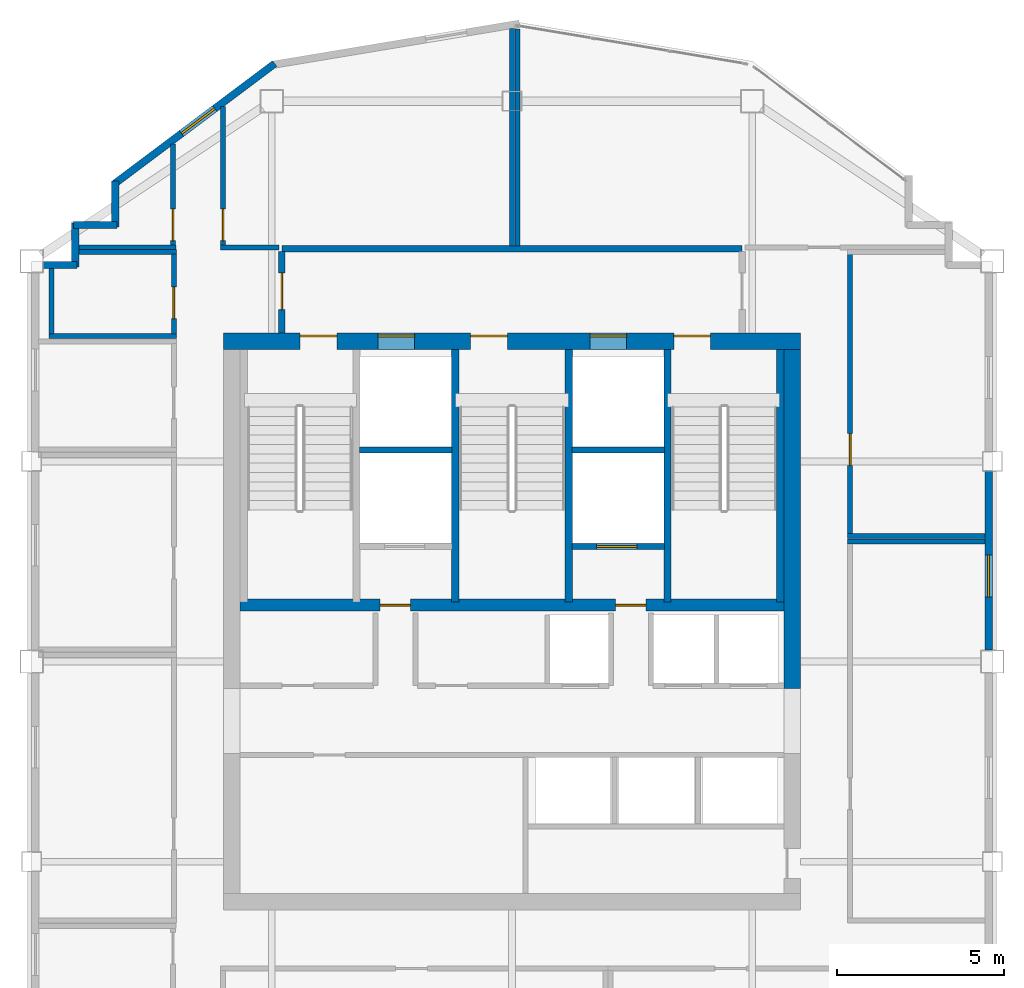
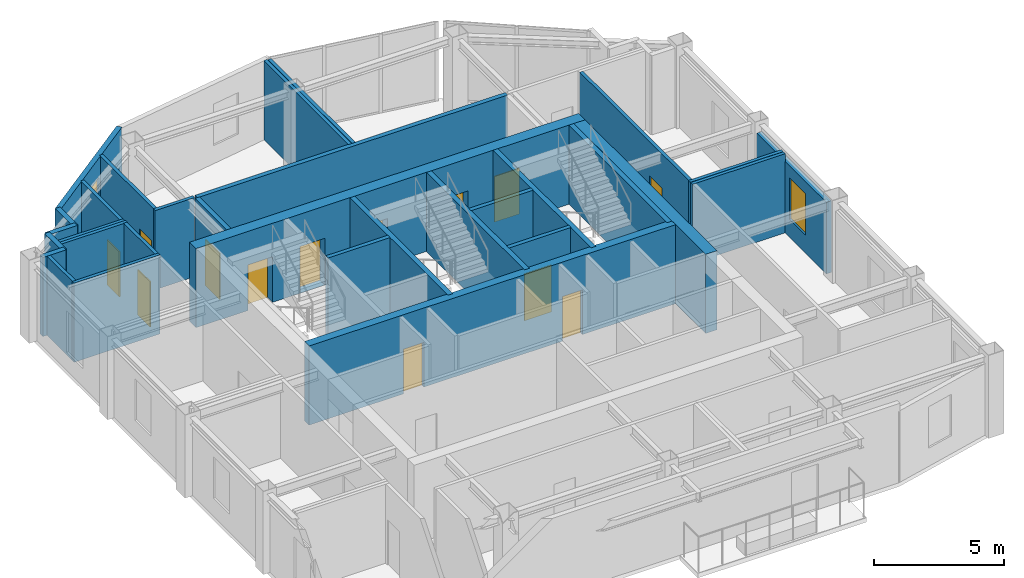
# One storey, part 6 of 8: 31 walls, 13 doors, 2 windows, 15 openings.
"""IFC4 building model written with IfcOpenShell, lengths in metres."""

from ifc_helpers import new_model, si_unit, direction, frame, frame_2d, origin, place, context, subcontext, project, spatial, rectangle, extrude, material, layer, layer_set, type_object, element, fill, save


model = new_model("IFC4")

# Units and contexts
model_context = context("Model", 3, precision=1e-05, world=origin(), true_north=direction((0.0, 1.0)))
body_context = subcontext(model_context, "Body", "Model", "MODEL_VIEW")
ifc_project = project(units=[si_unit("LENGTHUNIT", "METRE"), si_unit("AREAUNIT", "SQUARE_METRE"), si_unit("VOLUMEUNIT", "CUBIC_METRE"), si_unit("PLANEANGLEUNIT", "RADIAN"), si_unit("MASSUNIT", "GRAM", prefix="KILO")], contexts=[model_context])

# Site, building, storey
site_placement = place(None, origin())
site = spatial("IfcSite", under=ifc_project, at=site_placement, CompositionType="ELEMENT")
building_placement = place(site_placement, origin())
building = spatial("IfcBuilding", under=site, at=building_placement, Name="Haolan Belvedere Tower", CompositionType="ELEMENT")
storey_placement = place(building_placement, frame((0.0, 0.0, 305.60009765625)))
storey = spatial("IfcBuildingStorey", under=building, at=storey_placement, Name="L77", CompositionType="ELEMENT", Elevation=305.60009765625)

# Wall, openings, doors
ifc_material_1 = material(Name="Concrete C50/60", Category="concrete")
ifc_layer_1 = layer(ifc_material_1, 0.5, Name="Concrete C50/60")
ifc_layer_set_1 = layer_set([ifc_layer_1], Name="Concrete C50/60")
wall_type_1 = type_object("IfcWallType", Name="WL-CORE-500", PredefinedType="SHEAR", material=ifc_layer_set_1)
wall_1_placement = place(storey_placement, frame((29.75, 43.199951171875, 0.0), z_axis=(0.0, 0.0, 1.0), x_axis=(1.0, 0.0, 0.0)))
wall_1 = element("IfcWall", 1, at=wall_1_placement, inside=storey, type_object=wall_type_1, Name="L77 central core north shear wall", PredefinedType="SHEAR", context=body_context, shape_type="SweptSolid", body=[
    extrude(rectangle(XDim=17.300048828125, YDim=0.5, at=frame_2d((8.64990234375, 0.0))), origin(), (0.0, 0.0, 1.0), 3.719970703125),
])
opening_1_placement = place(wall_1_placement, frame((2.300048828125, 0.0, 0.0)))
opening_1 = element("IfcOpeningElement", 2, at=opening_1_placement, cuts=wall_1, Name="Opening FD-03", PredefinedType="OPENING", context=body_context, shape_type="SweptSolid", body=[
    extrude(rectangle(XDim=1.10009765625, YDim=2.14990234375, at=frame_2d((0.550048828125, 1.074951171875))), frame((0.0, 0.260009765625, 0.0), z_axis=(0.0, -1.0, 0.0), x_axis=(1.0, 0.0, 0.0)), (0.0, 0.0, 1.0), 0.52001953125),
])
opening_2_placement = place(wall_1_placement, frame((7.409912109375, 0.0, 0.0)))
opening_2 = element("IfcOpeningElement", 3, at=opening_2_placement, cuts=wall_1, Name="Opening FD-03", PredefinedType="OPENING", context=body_context, shape_type="SweptSolid", body=[
    extrude(rectangle(XDim=1.10009765625, YDim=2.14990234375, at=frame_2d((0.550048828125, 1.074951171875))), frame((0.0, 0.260009765625, 0.0), z_axis=(0.0, -1.0, 0.0), x_axis=(1.0, 0.0, 0.0)), (0.0, 0.0, 1.0), 0.52001953125),
])
opening_3_placement = place(wall_1_placement, frame((13.5, 0.0, 0.0)))
opening_3 = element("IfcOpeningElement", 4, at=opening_3_placement, cuts=wall_1, Name="Opening FD-03", PredefinedType="OPENING", context=body_context, shape_type="SweptSolid", body=[
    extrude(rectangle(XDim=1.10009765625, YDim=2.14990234375, at=frame_2d((0.550048828125, 1.074951171875))), frame((0.0, 0.260009765625, 0.0), z_axis=(0.0, -1.0, 0.0), x_axis=(1.0, 0.0, 0.0)), (0.0, 0.0, 1.0), 0.52001953125),
])
opening_4_placement = place(wall_1_placement, frame((4.6298828125, 0.0, 0.0)))
opening_4 = element("IfcOpeningElement", 5, at=opening_4_placement, cuts=wall_1, Name="Opening LD-01", PredefinedType="OPENING", context=body_context, shape_type="SweptSolid", body=[
    extrude(rectangle(XDim=1.10009765625, YDim=2.199951171875, at=frame_2d((0.550048828125, 1.10009765625))), frame((0.0, 0.260009765625, 0.0), z_axis=(0.0, -1.0, 0.0), x_axis=(1.0, 0.0, 0.0)), (0.0, 0.0, 1.0), 0.52001953125),
])
opening_5_placement = place(wall_1_placement, frame((10.989990234375, 0.0, 0.0)))
opening_5 = element("IfcOpeningElement", 6, at=opening_5_placement, cuts=wall_1, Name="Opening LD-01", PredefinedType="OPENING", context=body_context, shape_type="SweptSolid", body=[
    extrude(rectangle(XDim=1.10009765625, YDim=2.199951171875, at=frame_2d((0.550048828125, 1.10009765625))), frame((0.0, 0.260009765625, 0.0), z_axis=(0.0, -1.0, 0.0), x_axis=(1.0, 0.0, 0.0)), (0.0, 0.0, 1.0), 0.52001953125),
])
ifc_material_2 = material(Name="Galvanised fire-rated steel", Category="steel")
door_type_1 = type_object("IfcDoorType", Name="DR-FD90-1100", OperationType="NOTDEFINED", PredefinedType="DOOR", material=ifc_material_2)
door_1_placement = place(opening_1_placement, origin())
door_1 = element("IfcDoor", 7, at=door_1_placement, inside=storey, type_object=door_type_1, Name="L77 door CD-L77-ST1", OperationType="SINGLE_SWING_LEFT", OverallHeight=2.14990234375, OverallWidth=1.10009765625, PredefinedType="DOOR", context=body_context, shape_type="SweptSolid", body=[
    extrude(rectangle(XDim=1.10009765625, YDim=2.14990234375, at=frame_2d((0.550048828125, 1.074951171875))), frame((0.0, 0.18505859375, 0.0), z_axis=(0.0, -1.0, 0.0), x_axis=(1.0, 0.0, 0.0)), (0.0, 0.0, 1.0), 0.050048828125),
])
fill(opening_1, door_1)
door_2_placement = place(opening_2_placement, origin())
door_2 = element("IfcDoor", 8, at=door_2_placement, inside=storey, type_object=door_type_1, Name="L77 door CD-L77-ST3", OperationType="SINGLE_SWING_LEFT", OverallHeight=2.14990234375, OverallWidth=1.10009765625, PredefinedType="DOOR", context=body_context, shape_type="SweptSolid", body=[
    extrude(rectangle(XDim=1.10009765625, YDim=2.14990234375, at=frame_2d((0.550048828125, 1.074951171875))), frame((0.0, 0.18505859375, 0.0), z_axis=(0.0, -1.0, 0.0), x_axis=(1.0, 0.0, 0.0)), (0.0, 0.0, 1.0), 0.050048828125),
])
fill(opening_2, door_2)
door_3_placement = place(opening_3_placement, origin())
door_3 = element("IfcDoor", 9, at=door_3_placement, inside=storey, type_object=door_type_1, Name="L77 door CD-L77-ST2", OperationType="SINGLE_SWING_RIGHT", OverallHeight=2.14990234375, OverallWidth=1.10009765625, PredefinedType="DOOR", context=body_context, shape_type="SweptSolid", body=[
    extrude(rectangle(XDim=1.10009765625, YDim=2.14990234375, at=frame_2d((0.550048828125, 1.074951171875))), frame((0.0, 0.18505859375, 0.0), z_axis=(0.0, -1.0, 0.0), x_axis=(1.0, 0.0, 0.0)), (0.0, 0.0, 1.0), 0.050048828125),
])
fill(opening_3, door_3)
ifc_material_3 = material(Name="Brushed champagne stainless steel 316L", Category="steel")
door_type_2 = type_object("IfcDoorType", Name="DR-LIFT-1100", OperationType="SLIDING_TO_LEFT", PredefinedType="DOOR", material=ifc_material_3)
door_4_placement = place(opening_4_placement, origin())
door_4 = element("IfcDoor", 10, at=door_4_placement, inside=storey, type_object=door_type_2, Name="L77 door LD-L77-FF1", OperationType="SLIDING_TO_LEFT", OverallHeight=2.199951171875, OverallWidth=1.10009765625, PredefinedType="DOOR", context=body_context, shape_type="SweptSolid", body=[
    extrude(rectangle(XDim=1.10009765625, YDim=2.199951171875, at=frame_2d((0.550048828125, 1.10009765625))), frame((0.0, 0.18505859375, 0.0), z_axis=(0.0, -1.0, 0.0), x_axis=(1.0, 0.0, 0.0)), (0.0, 0.0, 1.0), 0.050048828125),
])
fill(opening_4, door_4)
door_5_placement = place(opening_5_placement, origin())
door_5 = element("IfcDoor", 11, at=door_5_placement, inside=storey, type_object=door_type_2, Name="L77 door LD-L77-FF2", OperationType="SLIDING_TO_LEFT", OverallHeight=2.199951171875, OverallWidth=1.10009765625, PredefinedType="DOOR", context=body_context, shape_type="SweptSolid", body=[
    extrude(rectangle(XDim=1.10009765625, YDim=2.199951171875, at=frame_2d((0.550048828125, 1.10009765625))), frame((0.0, 0.18505859375, 0.0), z_axis=(0.0, -1.0, 0.0), x_axis=(1.0, 0.0, 0.0)), (0.0, 0.0, 1.0), 0.050048828125),
])
fill(opening_5, door_5)

# Wall
wall_2_placement = place(storey_placement, frame((46.800048828125, 32.800048828125, 0.0), z_axis=(0.0, 0.0, 1.0), x_axis=(0.0, 1.0, 0.0)))
element("IfcWall", 12, at=wall_2_placement, inside=storey, type_object=wall_type_1, Name="L77 central core shear wall EN", PredefinedType="SHEAR", context=body_context, shape_type="SweptSolid", body=[
    extrude(rectangle(XDim=10.14990234375, YDim=0.5, at=frame_2d((5.074951171875, 0.0))), origin(), (0.0, 0.0, 1.0), 3.719970703125),
])

# Wall, opening, window
ifc_material_4 = material(Name="Precast concrete C40/50", Category="concrete")
ifc_layer_2 = layer(ifc_material_4, 0.219970703125, Name="Precast concrete C40/50")
ifc_layer_set_2 = layer_set([ifc_layer_2], Name="Precast concrete C40/50")
wall_type_2 = type_object("IfcWallType", Name="WL-EXT-220", PredefinedType="SOLIDWALL", material=ifc_layer_set_2)
wall_3_placement = place(storey_placement, frame((52.68994140625, 33.94189453125, 0.0), z_axis=(0.0, 0.0, 1.0), x_axis=(0.0, 1.0, 0.0)))
wall_3 = element("IfcWall", 13, at=wall_3_placement, inside=storey, type_object=wall_type_2, Name="L77 pale-metal exterior spandrel wall 3.3", PredefinedType="SOLIDWALL", context=body_context, shape_type="SweptSolid", body=[
    extrude(rectangle(XDim=5.3662109375, YDim=0.219970703125, at=frame_2d((2.68310546875, 0.0))), origin(), (0.0, 0.0, 1.0), 3.364990234375),
])
opening_6_placement = place(wall_3_placement, frame((1.60009765625, 0.0, 0.85009765625)))
opening_6 = element("IfcOpeningElement", 14, at=opening_6_placement, cuts=wall_3, Name="Opening W-04", PredefinedType="OPENING", context=body_context, shape_type="SweptSolid", body=[
    extrude(rectangle(XDim=1.25, YDim=1.949951171875, at=frame_2d((0.625, 0.97509765625))), frame((0.0, 0.119873046875, 0.0), z_axis=(0.0, -1.0, 0.0), x_axis=(1.0, 0.0, 0.0)), (0.0, 0.0, 1.0), 0.239990234375),
])
ifc_material_5 = material(Name="Anodised aluminium 6063-T6 and Low-E glass", Category="aluminium")
window_type = type_object("IfcWindowType", Name="WN-DECO-Z4", PartitioningType="SINGLE_PANEL", PredefinedType="WINDOW", material=ifc_material_5)
window_1_placement = place(opening_6_placement, origin())
window_1 = element("IfcWindow", 15, at=window_1_placement, inside=storey, type_object=window_type, Name="L77 Art Deco chevron window 1", OverallHeight=1.949951171875, OverallWidth=1.25, PartitioningType="SINGLE_PANEL", PredefinedType="WINDOW", context=body_context, shape_type="SweptSolid", body=[
    extrude(rectangle(XDim=1.25, YDim=1.949951171875, at=frame_2d((0.625, 0.97509765625))), frame((0.0, 0.030029296875, 0.0), z_axis=(0.0, -1.0, 0.0), x_axis=(1.0, 0.0, 0.0)), (0.0, 0.0, 1.0), 0.06005859375),
])
fill(opening_6, window_1)

wall_4_placement = place(storey_placement, frame((31.28857421875, 51.52880859375, 0.0), z_axis=(0.0, 0.0, 1.0), x_axis=(-0.800014580093, -0.599980559383, 0.0)))
wall_4 = element("IfcWall", 16, at=wall_4_placement, inside=storey, type_object=wall_type_2, Name="L77 pale-metal exterior spandrel wall 11.1", PredefinedType="SOLIDWALL", context=body_context, shape_type="SweptSolid", body=[
    extrude(rectangle(XDim=6.028076171875, YDim=0.219970703125, at=frame_2d((3.01416015625, 0.0))), origin(), (0.0, 0.0, 1.0), 3.719970703125),
])
opening_7_placement = place(wall_4_placement, frame((2.2470703125, 0.0, 0.85009765625)))
opening_7 = element("IfcOpeningElement", 17, at=opening_7_placement, cuts=wall_4, Name="Opening W-04", PredefinedType="OPENING", context=body_context, shape_type="SweptSolid", body=[
    extrude(rectangle(XDim=1.25, YDim=1.949951171875, at=frame_2d((0.625, 0.97509765625))), frame((0.0, 0.119873046875, 0.0), z_axis=(0.0, -1.0, 0.0), x_axis=(1.0, 0.0, 0.0)), (0.0, 0.0, 1.0), 0.239990234375),
])
window_2_placement = place(opening_7_placement, origin())
window_2 = element("IfcWindow", 18, at=window_2_placement, inside=storey, type_object=window_type, Name="L77 Art Deco chevron window 1", OverallHeight=1.949951171875, OverallWidth=1.25, PartitioningType="SINGLE_PANEL", PredefinedType="WINDOW", context=body_context, shape_type="SweptSolid", body=[
    extrude(rectangle(XDim=1.25, YDim=1.949951171875, at=frame_2d((0.625, 0.97509765625))), frame((0.0, 0.030029296875, 0.0), z_axis=(0.0, -1.0, 0.0), x_axis=(1.0, 0.0, 0.0)), (0.0, 0.0, 1.0), 0.06005859375),
])
fill(opening_7, window_2)

# Walls
wall_5_placement = place(storey_placement, frame((26.510009765625, 48.0, 0.0), z_axis=(0.0, 0.0, 1.0), x_axis=(0.0, -1.0, 0.0)))
element("IfcWall", 19, at=wall_5_placement, inside=storey, type_object=wall_type_2, Name="L77 pale-metal exterior spandrel wall 12.1", PredefinedType="SOLIDWALL", context=body_context, shape_type="SweptSolid", body=[
    extrude(rectangle(XDim=1.364990234375, YDim=0.219970703125, at=frame_2d((0.6826171875, 0.0))), origin(), (0.0, 0.0, 1.0), 3.719970703125),
])
for number, where, z_axis, x_axis, name in (
    (20, (26.56494140625, 46.68994140625, 0.0), (0.0, 0.0, 1.0), (-1.0, 0.0, 0.0), "L77 pale-metal exterior spandrel wall 13.1"),
    (21, (25.31005859375, 46.7451171875, 0.0), (0.0, 0.0, 1.0), (0.0, -1.0, 0.0), "L77 pale-metal exterior spandrel wall 14.1"),
):
    element("IfcWall", number, at=place(storey_placement, frame(where, z_axis=z_axis, x_axis=x_axis)), inside=storey, type_object=wall_type_2, Name=name, PredefinedType="SOLIDWALL", context=body_context, shape_type="SweptSolid", body=[
        extrude(rectangle(XDim=1.31005859375, YDim=0.219970703125, at=frame_2d((0.655029296875, 0.0))), origin(), (0.0, 0.0, 1.0), 3.719970703125),
    ])
wall_6_placement = place(storey_placement, frame((25.364990234375, 45.489990234375, 0.0), z_axis=(0.0, 0.0, 1.0), x_axis=(-1.0, 0.0, 0.0)))
element("IfcWall", 22, at=wall_6_placement, inside=storey, type_object=wall_type_2, Name="L77 pale-metal exterior spandrel wall 15.1", PredefinedType="SOLIDWALL", context=body_context, shape_type="SweptSolid", body=[
    extrude(rectangle(XDim=1.02294921875, YDim=0.219970703125, at=frame_2d((0.511474609375, 0.0))), origin(), (0.0, 0.0, 1.0), 3.719970703125),
])
ifc_material_6 = material(Name="Concrete C40/50", Category="concrete")
ifc_layer_3 = layer(ifc_material_6, 0.199951171875, Name="Concrete C40/50")
ifc_layer_set_3 = layer_set([ifc_layer_3], Name="Concrete C40/50")
wall_type_3 = type_object("IfcWallType", Name="WL-FIRE-200", PredefinedType="SOLIDWALL", material=ifc_layer_set_3)
wall_7_placement = place(storey_placement, frame((31.5, 45.97998046875, 0.0), z_axis=(0.0, 0.0, 1.0), x_axis=(1.0, 0.0, 0.0)))
element("IfcWall", 23, at=wall_7_placement, inside=storey, type_object=wall_type_3, Name="L77 interior partition IW-L77-FFL-N", PredefinedType="SOLIDWALL", context=body_context, shape_type="SweptSolid", body=[
    extrude(rectangle(XDim=13.800048828125, YDim=0.199951171875, at=frame_2d((6.89990234375, 0.0))), origin(), (0.0, 0.0, 1.0), 3.719970703125),
])

# Wall, opening, door
wall_8_placement = place(storey_placement, frame((31.5, 43.449951171875, 0.0), z_axis=(0.0, 0.0, 1.0), x_axis=(0.0, 1.0, 0.0)))
wall_8 = element("IfcWall", 24, at=wall_8_placement, inside=storey, type_object=wall_type_3, Name="L77 interior partition IW-L77-FFL-W", PredefinedType="SOLIDWALL", context=body_context, shape_type="SweptSolid", body=[
    extrude(rectangle(XDim=2.445068359375, YDim=0.199951171875, at=frame_2d((1.22265625, 0.0))), origin(), (0.0, 0.0, 1.0), 3.719970703125),
])
opening_8_placement = place(wall_8_placement, frame((1.800048828125, 0.0, 0.0), z_axis=(0.0, 0.0, 1.0), x_axis=(-1.0, 0.0, 0.0)))
opening_8 = element("IfcOpeningElement", 25, at=opening_8_placement, cuts=wall_8, Name="Opening FD-03", PredefinedType="OPENING", context=body_context, shape_type="SweptSolid", body=[
    extrude(rectangle(XDim=1.10009765625, YDim=2.14990234375, at=frame_2d((0.550048828125, 1.074951171875))), frame((0.0, 0.10986328125, 0.0), z_axis=(0.0, -1.0, 0.0), x_axis=(1.0, 0.0, 0.0)), (0.0, 0.0, 1.0), 0.219970703125),
])
door_6_placement = place(opening_8_placement, origin())
door_6 = element("IfcDoor", 26, at=door_6_placement, inside=storey, type_object=door_type_1, Name="L77 door ID-L77-FFL-DW", OperationType="SINGLE_SWING_LEFT", OverallHeight=2.14990234375, OverallWidth=1.10009765625, PredefinedType="DOOR", context=body_context, shape_type="SweptSolid", body=[
    extrude(rectangle(XDim=1.10009765625, YDim=2.14990234375, at=frame_2d((0.550048828125, 1.074951171875))), frame((0.0, 0.02490234375, 0.0), z_axis=(0.0, -1.0, 0.0), x_axis=(1.0, 0.0, 0.0)), (0.0, 0.0, 1.0), 0.050048828125),
])
fill(opening_8, door_6)

# Walls
ifc_material_7 = material(Name="Double gypsum acoustic stud partition", Category="masonry")
ifc_layer_4 = layer(ifc_material_7, 0.14990234375, Name="Double gypsum acoustic stud partition")
ifc_layer_set_4 = layer_set([ifc_layer_4], Name="Double gypsum acoustic stud partition")
wall_type_4 = type_object("IfcWallType", Name="WL-PART-150", PredefinedType="PARTITIONING", material=ifc_layer_set_4)
wall_9_placement = place(storey_placement, frame((25.412109375, 45.8798828125, 0.0), z_axis=(0.0, 0.0, 1.0), x_axis=(1.0, 0.0, 0.0)))
element("IfcWall", 27, at=wall_9_placement, inside=storey, type_object=wall_type_4, Name="L77 interior partition IW-L77-AWC-N", PredefinedType="PARTITIONING", context=body_context, shape_type="SweptSolid", body=[
    extrude(rectangle(XDim=2.927978515625, YDim=0.14990234375, at=frame_2d((1.4638671875, 0.0))), origin(), (0.0, 0.0, 1.0), 3.719970703125),
])
wall_10_placement = place(storey_placement, frame((24.52001953125, 43.360107421875, 0.0), z_axis=(0.0, 0.0, 1.0), x_axis=(1.0, 0.0, 0.0)))
element("IfcWall", 28, at=wall_10_placement, inside=storey, type_object=wall_type_4, Name="L77 interior partition IW-L77-AWC-S", PredefinedType="PARTITIONING", context=body_context, shape_type="SweptSolid", body=[
    extrude(rectangle(XDim=3.820068359375, YDim=0.14990234375, at=frame_2d((1.91015625, 0.0))), origin(), (0.0, 0.0, 1.0), 3.719970703125),
])
wall_11_placement = place(storey_placement, frame((24.60009765625, 43.419921875, 0.0), z_axis=(0.0, 0.0, 1.0), x_axis=(0.0, 1.0, 0.0)))
element("IfcWall", 29, at=wall_11_placement, inside=storey, type_object=wall_type_4, Name="L77 interior partition IW-L77-AWC-W", PredefinedType="PARTITIONING", context=body_context, shape_type="SweptSolid", body=[
    extrude(rectangle(XDim=1.968017578125, YDim=0.14990234375, at=frame_2d((0.98388671875, 0.0))), origin(), (0.0, 0.0, 1.0), 3.719970703125),
])

# Wall, opening, door
wall_12_placement = place(storey_placement, frame((28.260009765625, 43.419921875, 0.0), z_axis=(0.0, 0.0, 1.0), x_axis=(0.0, 1.0, 0.0)))
wall_12 = element("IfcWall", 30, at=wall_12_placement, inside=storey, type_object=wall_type_4, Name="L77 interior partition IW-L77-AWC-E", PredefinedType="PARTITIONING", context=body_context, shape_type="SweptSolid", body=[
    extrude(rectangle(XDim=2.400146484375, YDim=0.14990234375, at=frame_2d((1.2001953125, 0.0))), origin(), (0.0, 0.0, 1.0), 3.719970703125),
])
opening_9_placement = place(wall_12_placement, frame((1.409912109375, 0.0, 0.0), z_axis=(0.0, 0.0, 1.0), x_axis=(-1.0, 0.0, 0.0)))
opening_9 = element("IfcOpeningElement", 31, at=opening_9_placement, cuts=wall_12, Name="Opening ID-03", PredefinedType="OPENING", context=body_context, shape_type="SweptSolid", body=[
    extrude(rectangle(XDim=0.949951171875, YDim=2.1201171875, at=frame_2d((0.47509765625, 1.06005859375))), frame((0.0, 0.0849609375, 0.0), z_axis=(0.0, -1.0, 0.0), x_axis=(1.0, 0.0, 0.0)), (0.0, 0.0, 1.0), 0.169921875),
])
ifc_material_8 = material(Name="Painted solid-core timber", Category="wood")
door_type_3 = type_object("IfcDoorType", Name="DR-INT-950", OperationType="NOTDEFINED", PredefinedType="DOOR", material=ifc_material_8)
door_7_placement = place(opening_9_placement, origin())
door_7 = element("IfcDoor", 32, at=door_7_placement, inside=storey, type_object=door_type_3, Name="L77 door ID-L77-AWC", OperationType="SINGLE_SWING_RIGHT", OverallHeight=2.1201171875, OverallWidth=0.949951171875, PredefinedType="DOOR", context=body_context, shape_type="SweptSolid", body=[
    extrude(rectangle(XDim=0.949951171875, YDim=2.1201171875, at=frame_2d((0.47509765625, 1.06005859375))), frame((0.0, 0.02490234375, 0.0), z_axis=(0.0, -1.0, 0.0), x_axis=(1.0, 0.0, 0.0)), (0.0, 0.0, 1.0), 0.050048828125),
])
fill(opening_9, door_7)

# Walls
for number, where, z_axis, x_axis, name in (
    (33, (48.4599609375, 37.199951171875, 0.0), (0.0, 0.0, 1.0), (1.0, 0.0, 0.0), "L77 interior partition IW-L77-PH-BRDE-N"),
    (34, (48.4599609375, 37.360107421875, 0.0), (0.0, 0.0, 1.0), (1.0, 0.0, 0.0), "L77 interior partition IW-L77-PH-SPAE-S"),
):
    element("IfcWall", number, at=place(storey_placement, frame(where, z_axis=z_axis, x_axis=x_axis)), inside=storey, type_object=wall_type_4, Name=name, PredefinedType="PARTITIONING", context=body_context, shape_type="SweptSolid", body=[
        extrude(rectangle(XDim=4.1279296875, YDim=0.14990234375, at=frame_2d((2.06396484375, 0.0))), origin(), (0.0, 0.0, 1.0), 3.719970703125),
    ])

# Wall, opening, door
wall_13_placement = place(storey_placement, frame((48.5400390625, 37.419921875, 0.0), z_axis=(0.0, 0.0, 1.0), x_axis=(0.0, 1.0, 0.0)))
wall_13 = element("IfcWall", 35, at=wall_13_placement, inside=storey, type_object=wall_type_4, Name="L77 interior partition IW-L77-PH-SPAE-W", PredefinedType="PARTITIONING", context=body_context, shape_type="SweptSolid", body=[
    extrude(rectangle(XDim=8.400146484375, YDim=0.14990234375, at=frame_2d((4.2001953125, 0.0))), origin(), (0.0, 0.0, 1.0), 3.719970703125),
])
opening_10_placement = place(wall_13_placement, frame((2.06005859375, 0.0, 0.0)))
opening_10 = element("IfcOpeningElement", 36, at=opening_10_placement, cuts=wall_13, Name="Opening ID-03", PredefinedType="OPENING", context=body_context, shape_type="SweptSolid", body=[
    extrude(rectangle(XDim=0.949951171875, YDim=2.1201171875, at=frame_2d((0.47509765625, 1.06005859375))), frame((0.0, 0.0849609375, 0.0), z_axis=(0.0, -1.0, 0.0), x_axis=(1.0, 0.0, 0.0)), (0.0, 0.0, 1.0), 0.169921875),
])
door_8_placement = place(opening_10_placement, origin())
door_8 = element("IfcDoor", 37, at=door_8_placement, inside=storey, type_object=door_type_3, Name="L77 door ID-L77-PH-SPAE", OperationType="SINGLE_SWING_LEFT", OverallHeight=2.1201171875, OverallWidth=0.949951171875, PredefinedType="DOOR", context=body_context, shape_type="SweptSolid", body=[
    extrude(rectangle(XDim=0.949951171875, YDim=2.1201171875, at=frame_2d((0.47509765625, 1.06005859375))), frame((0.0, 0.02490234375, 0.0), z_axis=(0.0, -1.0, 0.0), x_axis=(1.0, 0.0, 0.0)), (0.0, 0.0, 1.0), 0.050048828125),
])
fill(opening_10, door_8)

# Wall
wall_14_placement = place(storey_placement, frame((25.412109375, 46.02001953125, 0.0), z_axis=(0.0, 0.0, 1.0), x_axis=(1.0, 0.0, 0.0)))
element("IfcWall", 38, at=wall_14_placement, inside=storey, type_object=wall_type_4, Name="L77 interior partition IW-L77-PH-NWST-S", PredefinedType="PARTITIONING", context=body_context, shape_type="SweptSolid", body=[
    extrude(rectangle(XDim=2.907958984375, YDim=0.14990234375, at=frame_2d((1.4541015625, 0.0))), origin(), (0.0, 0.0, 1.0), 3.719970703125),
])

# Wall, opening, door
wall_15_placement = place(storey_placement, frame((28.239990234375, 46.080078125, 0.0), z_axis=(0.0, 0.0, 1.0), x_axis=(0.0, 1.0, 0.0)))
wall_15 = element("IfcWall", 39, at=wall_15_placement, inside=storey, type_object=wall_type_4, Name="L77 interior partition IW-L77-PH-NWST-E", PredefinedType="PARTITIONING", context=body_context, shape_type="SweptSolid", body=[
    extrude(rectangle(XDim=3.034912109375, YDim=0.14990234375, at=frame_2d((1.517578125, 0.0))), origin(), (0.0, 0.0, 1.0), 3.719970703125),
])
opening_11_placement = place(wall_15_placement, frame((1.08984375, 0.0, 0.0), z_axis=(0.0, 0.0, 1.0), x_axis=(-1.0, 0.0, 0.0)))
opening_11 = element("IfcOpeningElement", 40, at=opening_11_placement, cuts=wall_15, Name="Opening ID-03", PredefinedType="OPENING", context=body_context, shape_type="SweptSolid", body=[
    extrude(rectangle(XDim=0.949951171875, YDim=2.1201171875, at=frame_2d((0.47509765625, 1.06005859375))), frame((0.0, 0.0849609375, 0.0), z_axis=(0.0, -1.0, 0.0), x_axis=(1.0, 0.0, 0.0)), (0.0, 0.0, 1.0), 0.169921875),
])
door_9_placement = place(opening_11_placement, origin())
door_9 = element("IfcDoor", 41, at=door_9_placement, inside=storey, type_object=door_type_3, Name="L77 door ID-L77-PH-NWST", OperationType="SINGLE_SWING_RIGHT", OverallHeight=2.1201171875, OverallWidth=0.949951171875, PredefinedType="DOOR", context=body_context, shape_type="SweptSolid", body=[
    extrude(rectangle(XDim=0.949951171875, YDim=2.1201171875, at=frame_2d((0.47509765625, 1.06005859375))), frame((0.0, 0.02490234375, 0.0), z_axis=(0.0, -1.0, 0.0), x_axis=(1.0, 0.0, 0.0)), (0.0, 0.0, 1.0), 0.050048828125),
])
fill(opening_11, door_9)

# Wall
wall_16_placement = place(storey_placement, frame((29.659912109375, 46.02001953125, 0.0), z_axis=(0.0, 0.0, 1.0), x_axis=(1.0, 0.0, 0.0)))
element("IfcWall", 42, at=wall_16_placement, inside=storey, type_object=wall_type_4, Name="L77 interior partition IW-L77-PHN1-S", PredefinedType="PARTITIONING", context=body_context, shape_type="SweptSolid", body=[
    extrude(rectangle(XDim=1.755126953125, YDim=0.14990234375, at=frame_2d((0.87744140625, 0.0))), origin(), (0.0, 0.0, 1.0), 3.719970703125),
])

# Wall, opening, door
wall_17_placement = place(storey_placement, frame((29.739990234375, 46.080078125, 0.0), z_axis=(0.0, 0.0, 1.0), x_axis=(0.0, 1.0, 0.0)))
wall_17 = element("IfcWall", 43, at=wall_17_placement, inside=storey, type_object=wall_type_4, Name="L77 interior partition IW-L77-PHN1-W", PredefinedType="PARTITIONING", context=body_context, shape_type="SweptSolid", body=[
    extrude(rectangle(XDim=4.159912109375, YDim=0.14990234375, at=frame_2d((2.080078125, 0.0))), origin(), (0.0, 0.0, 1.0), 3.719970703125),
])
opening_12_placement = place(wall_17_placement, frame((0.139892578125, 0.0, 0.0)))
opening_12 = element("IfcOpeningElement", 44, at=opening_12_placement, cuts=wall_17, Name="Opening ID-03", PredefinedType="OPENING", context=body_context, shape_type="SweptSolid", body=[
    extrude(rectangle(XDim=0.949951171875, YDim=2.1201171875, at=frame_2d((0.47509765625, 1.06005859375))), frame((0.0, 0.0849609375, 0.0), z_axis=(0.0, -1.0, 0.0), x_axis=(1.0, 0.0, 0.0)), (0.0, 0.0, 1.0), 0.169921875),
])
door_10_placement = place(opening_12_placement, origin())
door_10 = element("IfcDoor", 45, at=door_10_placement, inside=storey, type_object=door_type_3, Name="L77 door ID-L77-PHN1", OperationType="SINGLE_SWING_RIGHT", OverallHeight=2.1201171875, OverallWidth=0.949951171875, PredefinedType="DOOR", context=body_context, shape_type="SweptSolid", body=[
    extrude(rectangle(XDim=0.949951171875, YDim=2.1201171875, at=frame_2d((0.47509765625, 1.06005859375))), frame((0.0, 0.02490234375, 0.0), z_axis=(0.0, -1.0, 0.0), x_axis=(1.0, 0.0, 0.0)), (0.0, 0.0, 1.0), 0.050048828125),
])
fill(opening_12, door_10)

# Walls
wall_18_placement = place(storey_placement, frame((38.39990234375, 46.06494140625, 0.0), z_axis=(0.0, 0.0, 1.0), x_axis=(0.0, 1.0, 0.0)))
element("IfcWall", 46, at=wall_18_placement, inside=storey, type_object=wall_type_4, Name="L77 interior partition IW-L77-PHN1-E", PredefinedType="PARTITIONING", context=body_context, shape_type="SweptSolid", body=[
    extrude(rectangle(XDim=6.520263671875, YDim=0.14990234375, at=frame_2d((3.26025390625, 0.0))), origin(), (0.0, 0.0, 1.0), 3.719970703125),
])
wall_19_placement = place(storey_placement, frame((38.56005859375, 46.06494140625, 0.0), z_axis=(0.0, 0.0, 1.0), x_axis=(0.0, 1.0, 0.0)))
element("IfcWall", 47, at=wall_19_placement, inside=storey, type_object=wall_type_4, Name="L77 interior partition IW-L77-PH-MUS-W", PredefinedType="PARTITIONING", context=body_context, shape_type="SweptSolid", body=[
    extrude(rectangle(XDim=6.493408203125, YDim=0.14990234375, at=frame_2d((3.24658203125, 0.0))), origin(), (0.0, 0.0, 1.0), 3.719970703125),
])
ifc_layer_5 = layer(ifc_material_4, 0.179931640625, Name="Precast concrete C40/50")
ifc_layer_set_5 = layer_set([ifc_layer_5], Name="Precast concrete C40/50")
wall_type_5 = type_object("IfcWallType", Name="WL-SHAFT-180", PredefinedType="SOLIDWALL", material=ifc_layer_set_5)
for number, where, z_axis, x_axis, name in (
    (48, (33.8349609375, 39.949951171875, 0.0), (0.0, 0.0, 1.0), (1.0, 0.0, 0.0), "L77 interior partition IW-L77-FF1-S"),
    (49, (40.195068359375, 39.949951171875, 0.0), (0.0, 0.0, 1.0), (1.0, 0.0, 0.0), "L77 interior partition IW-L77-FF2-S"),
):
    element("IfcWall", number, at=place(storey_placement, frame(where, z_axis=z_axis, x_axis=x_axis)), inside=storey, type_object=wall_type_5, Name=name, PredefinedType="SOLIDWALL", context=body_context, shape_type="SweptSolid", body=[
        extrude(rectangle(XDim=2.77001953125, YDim=0.179931640625, at=frame_2d((1.385009765625, 0.0))), origin(), (0.0, 0.0, 1.0), 3.719970703125),
    ])

# Wall, opening, door
wall_20_placement = place(storey_placement, frame((40.195068359375, 37.050048828125, 0.0), z_axis=(0.0, 0.0, 1.0), x_axis=(1.0, 0.0, 0.0)))
wall_20 = element("IfcWall", 50, at=wall_20_placement, inside=storey, type_object=wall_type_5, Name="L77 interior partition IW-L77-SV2-S", PredefinedType="SOLIDWALL", context=body_context, shape_type="SweptSolid", body=[
    extrude(rectangle(XDim=2.77001953125, YDim=0.179931640625, at=frame_2d((1.385009765625, 0.0))), origin(), (0.0, 0.0, 1.0), 3.719970703125),
])
opening_13_placement = place(wall_20_placement, frame((1.945068359375, 0.0, 0.0), z_axis=(0.0, 0.0, 1.0), x_axis=(-1.0, 0.0, 0.0)))
opening_13 = element("IfcOpeningElement", 51, at=opening_13_placement, cuts=wall_20, Name="Opening LD-02", PredefinedType="OPENING", context=body_context, shape_type="SweptSolid", body=[
    extrude(rectangle(XDim=1.199951171875, YDim=2.199951171875, at=frame_2d((0.60009765625, 1.10009765625))), frame((0.0, 0.099853515625, 0.0), z_axis=(0.0, -1.0, 0.0), x_axis=(1.0, 0.0, 0.0)), (0.0, 0.0, 1.0), 0.199951171875),
])
door_type_4 = type_object("IfcDoorType", Name="DR-LIFT-1200", OperationType="SLIDING_TO_RIGHT", PredefinedType="DOOR", material=ifc_material_3)
door_11_placement = place(opening_13_placement, origin())
door_11 = element("IfcDoor", 52, at=door_11_placement, inside=storey, type_object=door_type_4, Name="L77 door ID-L77-LD-SV2", OperationType="SLIDING_TO_RIGHT", OverallHeight=2.199951171875, OverallWidth=1.199951171875, PredefinedType="DOOR", context=body_context, shape_type="SweptSolid", body=[
    extrude(rectangle(XDim=1.199951171875, YDim=2.199951171875, at=frame_2d((0.60009765625, 1.10009765625))), frame((0.0, 0.02490234375, 0.0), z_axis=(0.0, -1.0, 0.0), x_axis=(1.0, 0.0, 0.0)), (0.0, 0.0, 1.0), 0.050048828125),
])
fill(opening_13, door_11)

# Walls
ifc_layer_6 = layer(ifc_material_1, 0.219970703125, Name="Concrete C50/60")
ifc_layer_set_6 = layer_set([ifc_layer_6], Name="Concrete C50/60")
wall_type_6 = type_object("IfcWallType", Name="WL-STAIR-220", PredefinedType="SHEAR", material=ifc_layer_set_6)
for number, where, z_axis, x_axis, name in (
    (53, (36.699951171875, 35.389892578125, 0.0), (0.0, 0.0, 1.0), (0.0, 1.0, 0.0), "L77 structural stair core wall ST3W"),
    (54, (40.10009765625, 35.389892578125, 0.0), (0.0, 0.0, 1.0), (0.0, 1.0, 0.0), "L77 structural stair core wall ST3E"),
    (55, (43.06005859375, 35.389892578125, 0.0), (0.0, 0.0, 1.0), (0.0, 1.0, 0.0), "L77 structural stair core wall ST2W"),
    (56, (46.43798828125, 35.389892578125, 0.0), (0.0, 0.0, 1.0), (0.0, 1.0, 0.0), "L77 structural stair core wall ST2E"),
):
    element("IfcWall", number, at=place(storey_placement, frame(where, z_axis=z_axis, x_axis=x_axis)), inside=storey, type_object=wall_type_6, Name=name, PredefinedType="SHEAR", context=body_context, shape_type="SweptSolid", body=[
        extrude(rectangle(XDim=7.56005859375, YDim=0.219970703125, at=frame_2d((3.780029296875, 0.0))), origin(), (0.0, 0.0, 1.0), 3.719970703125),
    ])

# Wall, openings, doors
ifc_material_9 = material(Name="Concrete C60/75", Category="concrete")
ifc_layer_7 = layer(ifc_material_9, 0.360107421875, Name="Concrete C60/75")
ifc_layer_set_7 = layer_set([ifc_layer_7], Name="Concrete C60/75")
wall_type_7 = type_object("IfcWallType", Name="WL-WEB-350", PredefinedType="SHEAR", material=ifc_layer_set_7)
wall_21_placement = place(storey_placement, frame((30.25, 35.2900390625, 0.0), z_axis=(0.0, 0.0, 1.0), x_axis=(1.0, 0.0, 0.0)))
wall_21 = element("IfcWall", 57, at=wall_21_placement, inside=storey, type_object=wall_type_7, Name="L77 central core internal shear web", PredefinedType="SHEAR", context=body_context, shape_type="SweptSolid", body=[
    extrude(rectangle(XDim=16.300048828125, YDim=0.360107421875, at=frame_2d((8.14990234375, 0.0))), origin(), (0.0, 0.0, 1.0), 3.719970703125),
])
opening_14_placement = place(wall_21_placement, frame((5.099853515625, 0.0, 0.0), z_axis=(0.0, 0.0, 1.0), x_axis=(-1.0, 0.0, 0.0)))
opening_14 = element("IfcOpeningElement", 58, at=opening_14_placement, cuts=wall_21, Name="Opening FD-05", PredefinedType="OPENING", context=body_context, shape_type="SweptSolid", body=[
    extrude(rectangle(XDim=0.89990234375, YDim=2.10009765625, at=frame_2d((0.449951171875, 1.050048828125))), frame((0.0, 0.18994140625, 0.0), z_axis=(0.0, -1.0, 0.0), x_axis=(1.0, 0.0, 0.0)), (0.0, 0.0, 1.0), 0.380126953125),
])
opening_15_placement = place(wall_21_placement, frame((12.159912109375, 0.0, 0.0), z_axis=(0.0, 0.0, 1.0), x_axis=(-1.0, 0.0, 0.0)))
opening_15 = element("IfcOpeningElement", 59, at=opening_15_placement, cuts=wall_21, Name="Opening FD-05", PredefinedType="OPENING", context=body_context, shape_type="SweptSolid", body=[
    extrude(rectangle(XDim=0.89990234375, YDim=2.10009765625, at=frame_2d((0.449951171875, 1.050048828125))), frame((0.0, 0.18994140625, 0.0), z_axis=(0.0, -1.0, 0.0), x_axis=(1.0, 0.0, 0.0)), (0.0, 0.0, 1.0), 0.380126953125),
])
door_type_5 = type_object("IfcDoorType", Name="DR-FD60-900", OperationType="NOTDEFINED", PredefinedType="DOOR", material=ifc_material_2)
door_12_placement = place(opening_14_placement, origin())
door_12 = element("IfcDoor", 60, at=door_12_placement, inside=storey, type_object=door_type_5, Name="L77 door CD-L77-SVL-SV1", OperationType="SINGLE_SWING_RIGHT", OverallHeight=2.10009765625, OverallWidth=0.89990234375, PredefinedType="DOOR", context=body_context, shape_type="SweptSolid", body=[
    extrude(rectangle(XDim=0.89990234375, YDim=2.10009765625, at=frame_2d((0.449951171875, 1.050048828125))), frame((0.0, 0.02490234375, 0.0), z_axis=(0.0, -1.0, 0.0), x_axis=(1.0, 0.0, 0.0)), (0.0, 0.0, 1.0), 0.050048828125),
])
fill(opening_14, door_12)
door_13_placement = place(opening_15_placement, origin())
door_13 = element("IfcDoor", 61, at=door_13_placement, inside=storey, type_object=door_type_5, Name="L77 door CD-L77-SVL-SV2", OperationType="SINGLE_SWING_RIGHT", OverallHeight=2.10009765625, OverallWidth=0.89990234375, PredefinedType="DOOR", context=body_context, shape_type="SweptSolid", body=[
    extrude(rectangle(XDim=0.89990234375, YDim=2.10009765625, at=frame_2d((0.449951171875, 1.050048828125))), frame((0.0, 0.02490234375, 0.0), z_axis=(0.0, -1.0, 0.0), x_axis=(1.0, 0.0, 0.0)), (0.0, 0.0, 1.0), 0.050048828125),
])
fill(opening_15, door_13)

save(model, "model.ifc")
